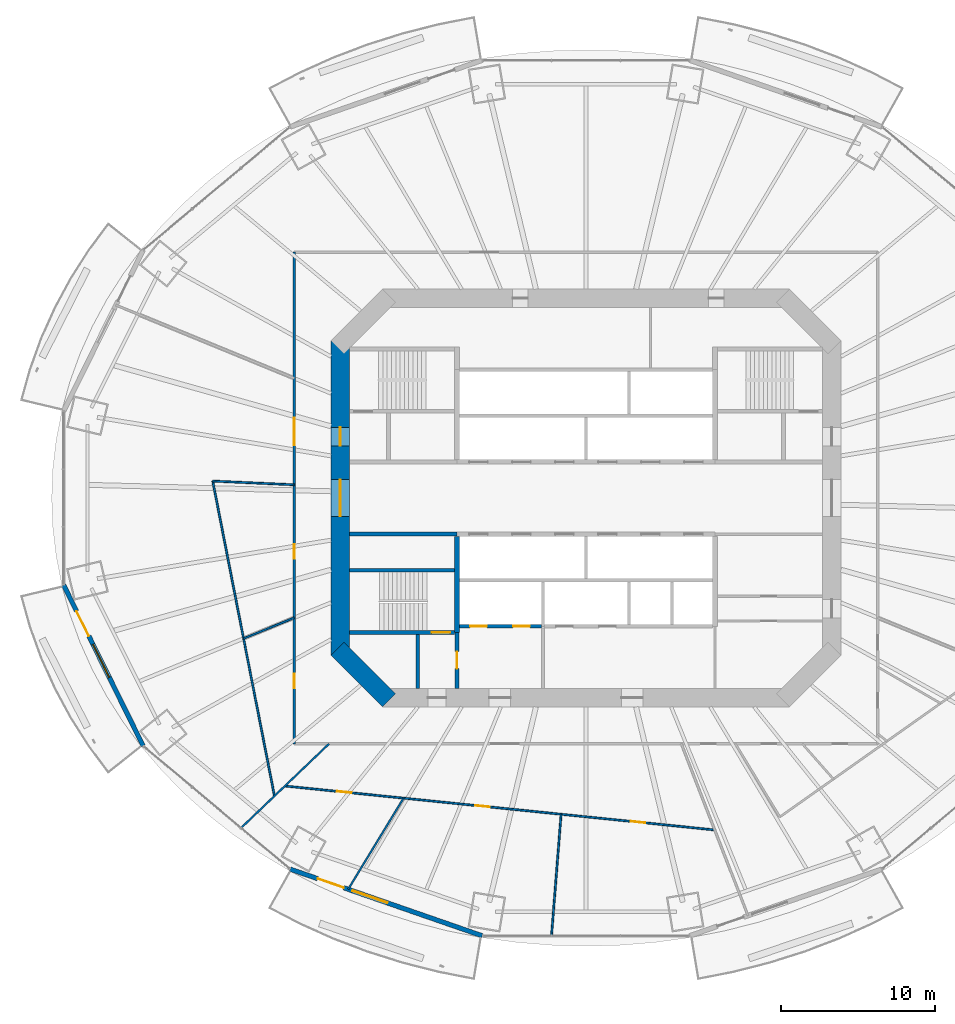
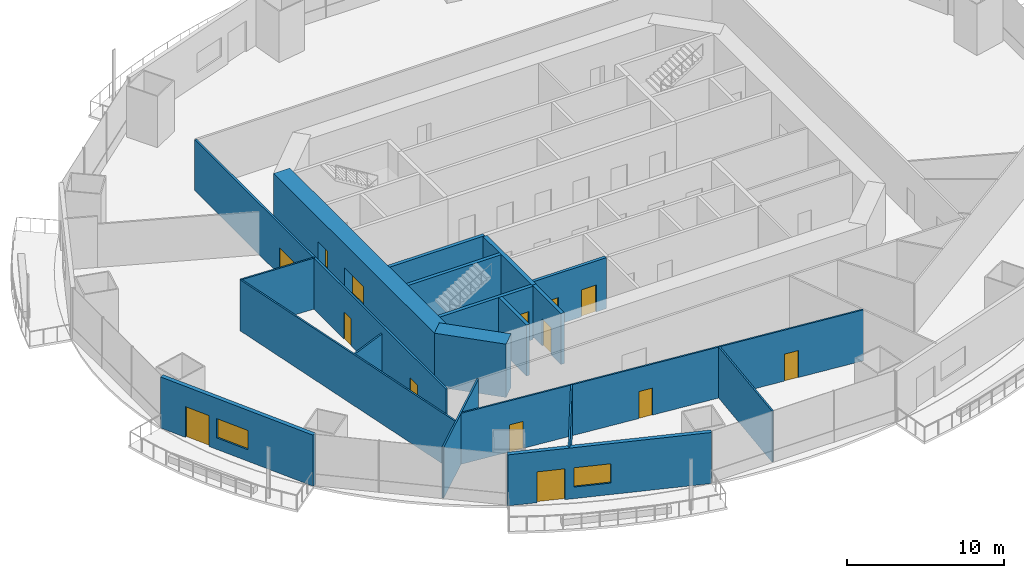
# One storey, part 13 of 22: 19 walls, 14 doors, 2 windows, 16 openings.
"""IFC4 building model written with IfcOpenShell, lengths in metres."""

from ifc_helpers import new_model, si_unit, direction, frame, frame_2d, origin, place, context, subcontext, project, spatial, rectangle, extrude, material, layer, layer_set, type_object, element, fill, save


model = new_model("IFC4")

# Units and contexts
model_context = context("Model", 3, precision=1e-05, world=origin(), true_north=direction((0.0, 1.0)))
body_context = subcontext(model_context, "Body", "Model", "MODEL_VIEW")
ifc_project = project(units=[si_unit("LENGTHUNIT", "METRE"), si_unit("AREAUNIT", "SQUARE_METRE"), si_unit("VOLUMEUNIT", "CUBIC_METRE"), si_unit("PLANEANGLEUNIT", "RADIAN"), si_unit("MASSUNIT", "GRAM", prefix="KILO")], contexts=[model_context])

# Site, building, storey
site_placement = place(None, origin())
site = spatial("IfcSite", under=ifc_project, at=site_placement, CompositionType="ELEMENT")
building_placement = place(site_placement, origin())
building = spatial("IfcBuilding", under=site, at=building_placement, Name="Marenthal Gate Tower", CompositionType="ELEMENT")
storey_placement = place(building_placement, frame((0.0, 0.0, 103.550048828125)))
storey = spatial("IfcBuildingStorey", under=building, at=storey_placement, Name="L21", CompositionType="ELEMENT", Elevation=103.550048828125)

# Wall, openings, doors
ifc_material_1 = material(Name="Concrete 60 MPa", Category="concrete")
ifc_layer_1 = layer(ifc_material_1, 1.199951171875)
ifc_layer_set_1 = layer_set([ifc_layer_1], Name="Core shear wall 1200")
wall_type_1 = type_object("IfcWallType", Name="Core shear wall 1200", PredefinedType="SHEAR", material=ifc_layer_set_1)
wall_1_placement = place(storey_placement, frame((-16.0, 10.24853515625, -0.179931640625), z_axis=(0.0, 0.0, 1.0), x_axis=(0.0, -1.0, 0.0)))
wall_1 = element("IfcWall", 1, at=wall_1_placement, inside=storey, type_object=wall_type_1, Name="Core wall 06", PredefinedType="SHEAR", context=body_context, shape_type="SweptSolid", body=[
    extrude(rectangle(XDim=20.4970703125, YDim=1.199951171875, at=frame_2d((10.24853515625, 0.0))), origin(), (0.0, 0.0, 1.0), 4.14990234375),
])
opening_1_placement = place(wall_1_placement, frame((9.048583984375, 0.0, 0.179931640625)))
opening_1 = element("IfcOpeningElement", 2, at=opening_1_placement, cuts=wall_1, Name="Opening D003.01", PredefinedType="OPENING", context=body_context, shape_type="SweptSolid", body=[
    extrude(rectangle(XDim=2.39990234375, YDim=2.10009765625, at=frame_2d((1.199951171875, 1.050048828125))), frame((0.0, 0.60986328125, 0.0), z_axis=(0.0, -1.0, 0.0), x_axis=(1.0, 0.0, 0.0)), (0.0, 0.0, 1.0), 1.219970703125),
])
opening_2_placement = place(wall_1_placement, frame((5.6484375, 0.0, 0.179931640625)))
opening_2 = element("IfcOpeningElement", 3, at=opening_2_placement, cuts=wall_1, Name="Opening D001.04", PredefinedType="OPENING", context=body_context, shape_type="SweptSolid", body=[
    extrude(rectangle(XDim=1.199951171875, YDim=2.10009765625, at=frame_2d((0.60009765625, 1.050048828125))), frame((0.0, 0.60986328125, 0.0), z_axis=(0.0, -1.0, 0.0), x_axis=(1.0, 0.0, 0.0)), (0.0, 0.0, 1.0), 1.219970703125),
])
ifc_material_2 = material(Name="Steel fire door", Category="steel")
door_type_1 = type_object("IfcDoorType", Name="Double fire door FD 45 2400 x 2100", OperationType="DOUBLE_DOOR_SINGLE_SWING", PredefinedType="DOOR", material=ifc_material_2)
door_1_placement = place(opening_1_placement, origin())
door_1 = element("IfcDoor", 4, at=door_1_placement, inside=storey, type_object=door_type_1, Name="Door D003.01", OperationType="DOUBLE_DOOR_SINGLE_SWING", OverallHeight=2.10009765625, OverallWidth=2.39990234375, PredefinedType="DOOR", context=body_context, shape_type="SweptSolid", body=[
    extrude(rectangle(XDim=2.39990234375, YDim=2.10009765625, at=frame_2d((1.199951171875, 1.050048828125))), frame((0.0, 0.02490234375, 0.0), z_axis=(0.0, -1.0, 0.0), x_axis=(1.0, 0.0, 0.0)), (0.0, 0.0, 1.0), 0.050048828125),
])
fill(opening_1, door_1)
ifc_material_3 = material(Name="Steel fire door", Category="steel")
door_type_2 = type_object("IfcDoorType", Name="Fire door FD 90 1200 x 2100", OperationType="NOTDEFINED", PredefinedType="DOOR", material=ifc_material_3)
door_2_placement = place(opening_2_placement, origin())
door_2 = element("IfcDoor", 5, at=door_2_placement, inside=storey, type_object=door_type_2, Name="Door D001.04", OperationType="SINGLE_SWING_RIGHT", OverallHeight=2.10009765625, OverallWidth=1.199951171875, PredefinedType="DOOR", context=body_context, shape_type="SweptSolid", body=[
    extrude(rectangle(XDim=1.199951171875, YDim=2.10009765625, at=frame_2d((0.60009765625, 1.050048828125))), frame((0.0, 0.02490234375, 0.0), z_axis=(0.0, -1.0, 0.0), x_axis=(1.0, 0.0, 0.0)), (0.0, 0.0, 1.0), 0.050048828125),
])
fill(opening_2, door_2)

# Walls
wall_2_placement = place(storey_placement, frame((-16.17578125, -9.82421875, -0.179931640625), z_axis=(0.0, 0.0, 1.0), x_axis=(0.707106781187, -0.707106781187, 0.0)))
element("IfcWall", 6, at=wall_2_placement, inside=storey, type_object=wall_type_1, Name="Core wall 07", PredefinedType="SHEAR", context=body_context, shape_type="SweptSolid", body=[
    extrude(rectangle(XDim=4.73974609375, YDim=1.199951171875, at=frame_2d((2.369873046875, 0.0))), origin(), (0.0, 0.0, 1.0), 4.14990234375),
])
ifc_material_4 = material(Name="Concrete 50 MPa", Category="concrete")
ifc_layer_2 = layer(ifc_material_4, 0.300048828125)
ifc_layer_set_2 = layer_set([ifc_layer_2], Name="Hoistway shear wall 300")
wall_type_2 = type_object("IfcWallType", Name="Hoistway shear wall 300", PredefinedType="SHEAR", material=ifc_layer_set_2)
wall_3_placement = place(storey_placement, frame((-8.39990234375, -8.75, -0.179931640625), z_axis=(0.0, 0.0, 1.0), x_axis=(0.0, 1.0, 0.0)))
element("IfcWall", 7, at=wall_3_placement, inside=storey, type_object=wall_type_2, Name="Hoistway wall 31", PredefinedType="SHEAR", context=body_context, shape_type="SweptSolid", body=[
    extrude(rectangle(XDim=6.25, YDim=0.300048828125, at=frame_2d((3.125, 0.0))), origin(), (0.0, 0.0, 1.0), 4.14990234375),
])

# Wall, openings, doors
ifc_material_5 = material(Name="Concrete 40 MPa", Category="concrete")
ifc_layer_3 = layer(ifc_material_5, 0.219970703125)
ifc_layer_set_3 = layer_set([ifc_layer_3], Name="Hoistway wall 220")
wall_type_3 = type_object("IfcWallType", Name="Hoistway wall 220", PredefinedType="STANDARD", material=ifc_layer_set_3)
wall_4_placement = place(storey_placement, frame((-8.25, -8.35009765625, 0.0), z_axis=(0.0, 0.0, 1.0), x_axis=(1.0, 0.0, 0.0)))
wall_4 = element("IfcWall", 8, at=wall_4_placement, inside=storey, type_object=wall_type_3, Name="Hoistway wall 10", PredefinedType="STANDARD", context=body_context, shape_type="SweptSolid", body=[
    extrude(rectangle(XDim=5.340087890625, YDim=0.219970703125, at=frame_2d((2.669921875, 0.0))), origin(), (0.0, 0.0, 1.0), 3.969970703125),
])
opening_3_placement = place(wall_4_placement, frame((0.699951171875, 0.0, 0.0)))
opening_3 = element("IfcOpeningElement", 9, at=opening_3_placement, cuts=wall_4, Name="Opening LD-LF1", PredefinedType="OPENING", context=body_context, shape_type="SweptSolid", body=[
    extrude(rectangle(XDim=1.10009765625, YDim=2.10009765625, at=frame_2d((0.550048828125, 1.050048828125))), frame((0.0, 0.1201171875, 0.0), z_axis=(0.0, -1.0, 0.0), x_axis=(1.0, 0.0, 0.0)), (0.0, 0.0, 1.0), 0.239990234375),
])
opening_4_placement = place(wall_4_placement, frame((3.5, 0.0, 0.0)))
opening_4 = element("IfcOpeningElement", 10, at=opening_4_placement, cuts=wall_4, Name="Opening LD-LF2", PredefinedType="OPENING", context=body_context, shape_type="SweptSolid", body=[
    extrude(rectangle(XDim=1.10009765625, YDim=2.10009765625, at=frame_2d((0.550048828125, 1.050048828125))), frame((0.0, 0.1201171875, 0.0), z_axis=(0.0, -1.0, 0.0), x_axis=(1.0, 0.0, 0.0)), (0.0, 0.0, 1.0), 0.239990234375),
])
ifc_material_6 = material(Name="Stainless steel sliding door", Category="steel")
door_type_3 = type_object("IfcDoorType", Name="Lift landing door FD 90 1100 x 2100", OperationType="DOUBLE_DOOR_SLIDING", PredefinedType="DOOR", material=ifc_material_6)
door_3_placement = place(opening_3_placement, origin())
door_3 = element("IfcDoor", 11, at=door_3_placement, inside=storey, type_object=door_type_3, Name="Lift landing door LF1", OperationType="DOUBLE_DOOR_SLIDING", OverallHeight=2.10009765625, OverallWidth=1.10009765625, PredefinedType="DOOR", context=body_context, shape_type="SweptSolid", body=[
    extrude(rectangle(XDim=1.10009765625, YDim=2.10009765625, at=frame_2d((0.550048828125, 1.050048828125))), frame((0.0, 0.02490234375, 0.0), z_axis=(0.0, -1.0, 0.0), x_axis=(1.0, 0.0, 0.0)), (0.0, 0.0, 1.0), 0.050048828125),
])
fill(opening_3, door_3)
door_4_placement = place(opening_4_placement, origin())
door_4 = element("IfcDoor", 12, at=door_4_placement, inside=storey, type_object=door_type_3, Name="Lift landing door LF2", OperationType="DOUBLE_DOOR_SLIDING", OverallHeight=2.10009765625, OverallWidth=1.10009765625, PredefinedType="DOOR", context=body_context, shape_type="SweptSolid", body=[
    extrude(rectangle(XDim=1.10009765625, YDim=2.10009765625, at=frame_2d((0.550048828125, 1.050048828125))), frame((0.0, 0.02490234375, 0.0), z_axis=(0.0, -1.0, 0.0), x_axis=(1.0, 0.0, 0.0)), (0.0, 0.0, 1.0), 0.050048828125),
])
fill(opening_4, door_4)

# Walls
ifc_material_7 = material(Name="Gypsum board on steel studs", Category="steel")
ifc_layer_4 = layer(ifc_material_7, 0.1201171875)
ifc_layer_set_4 = layer_set([ifc_layer_4], Name="Partition 120")
wall_type_4 = type_object("IfcWallType", Name="Partition 120", PredefinedType="PARTITIONING", material=ifc_layer_set_4)
wall_5_placement = place(storey_placement, frame((-24.29931640625, 1.1015625, 0.0), z_axis=(0.0, 0.0, 1.0), x_axis=(0.192428584769, -0.98131098015, 0.0)))
element("IfcWall", 13, at=wall_5_placement, inside=storey, type_object=wall_type_4, Name="Partition wall 47", PredefinedType="PARTITIONING", context=body_context, shape_type="SweptSolid", body=[
    extrude(rectangle(XDim=20.888427734375, YDim=0.1201171875, at=frame_2d((10.4443359375, 0.0))), origin(), (0.0, 0.0, 1.0), 3.969970703125),
])
wall_6_placement = place(storey_placement, frame((-24.29931640625, 1.1015625, 0.0), z_axis=(0.0, 0.0, 1.0), x_axis=(0.998974036647, -0.045286577539, 0.0)))
element("IfcWall", 14, at=wall_6_placement, inside=storey, type_object=wall_type_4, Name="Partition wall 48", PredefinedType="PARTITIONING", context=body_context, shape_type="SweptSolid", body=[
    extrude(rectangle(XDim=5.3046875, YDim=0.1201171875, at=frame_2d((2.65234375, 0.0))), origin(), (0.0, 0.0, 1.0), 3.969970703125),
])
wall_7_placement = place(storey_placement, frame((-22.28955078125, -9.1474609375, 0.0), z_axis=(0.0, 0.0, 1.0), x_axis=(0.92513955931, 0.379627180008, 0.0)))
element("IfcWall", 15, at=wall_7_placement, inside=storey, type_object=wall_type_4, Name="Partition wall 49", PredefinedType="PARTITIONING", context=body_context, shape_type="SweptSolid", body=[
    extrude(rectangle(XDim=3.5556640625, YDim=0.1201171875, at=frame_2d((1.77783203125, 0.0))), origin(), (0.0, 0.0, 1.0), 3.35791015625),
])

# Wall, openings, doors
wall_8_placement = place(storey_placement, frame((-19.6005859375, -18.746826171875, 0.0), z_axis=(0.0, 0.0, 1.0), x_axis=(0.994814570483, -0.101705311343, 0.0)))
wall_8 = element("IfcWall", 16, at=wall_8_placement, inside=storey, type_object=wall_type_4, Name="Partition wall 50", PredefinedType="PARTITIONING", context=body_context, shape_type="SweptSolid", body=[
    extrude(rectangle(XDim=28.126220703125, YDim=0.1201171875, at=frame_2d((14.06298828125, 0.0))), origin(), (0.0, 0.0, 1.0), 3.969970703125),
])
opening_5_placement = place(wall_8_placement, frame((3.406982421875, 0.0, 0.0)))
opening_5 = element("IfcOpeningElement", 17, at=opening_5_placement, cuts=wall_8, Name="Opening D016.03", PredefinedType="OPENING", context=body_context, shape_type="SweptSolid", body=[
    extrude(rectangle(XDim=0.949951171875, YDim=2.10009765625, at=frame_2d((0.47509765625, 1.050048828125))), frame((0.0, 0.070068359375, 0.0), z_axis=(0.0, -1.0, 0.0), x_axis=(1.0, 0.0, 0.0)), (0.0, 0.0, 1.0), 0.14013671875),
])
opening_6_placement = place(wall_8_placement, frame((12.444091796875, 0.0, 0.0)))
opening_6 = element("IfcOpeningElement", 18, at=opening_6_placement, cuts=wall_8, Name="Opening D016.04", PredefinedType="OPENING", context=body_context, shape_type="SweptSolid", body=[
    extrude(rectangle(XDim=0.949951171875, YDim=2.10009765625, at=frame_2d((0.47509765625, 1.050048828125))), frame((0.0, 0.070068359375, 0.0), z_axis=(0.0, -1.0, 0.0), x_axis=(1.0, 0.0, 0.0)), (0.0, 0.0, 1.0), 0.14013671875),
])
opening_7_placement = place(wall_8_placement, frame((22.625, 0.0, 0.0)))
opening_7 = element("IfcOpeningElement", 19, at=opening_7_placement, cuts=wall_8, Name="Opening D016.05", PredefinedType="OPENING", context=body_context, shape_type="SweptSolid", body=[
    extrude(rectangle(XDim=0.949951171875, YDim=2.10009765625, at=frame_2d((0.47509765625, 1.050048828125))), frame((0.0, 0.070068359375, 0.0), z_axis=(0.0, -1.0, 0.0), x_axis=(1.0, 0.0, 0.0)), (0.0, 0.0, 1.0), 0.14013671875),
])
ifc_material_8 = material(Name="Timber door", Category="wood")
door_type_4 = type_object("IfcDoorType", Name="Door 950 x 2100", OperationType="NOTDEFINED", PredefinedType="DOOR", material=ifc_material_8)
door_5_placement = place(opening_5_placement, frame((0.949951171875, 0.0, 0.0), z_axis=(0.0, 0.0, 1.0), x_axis=(-1.0, 0.0, 0.0)))
door_5 = element("IfcDoor", 20, at=door_5_placement, inside=storey, type_object=door_type_4, Name="Door D016.03", OperationType="SINGLE_SWING_LEFT", OverallHeight=2.10009765625, OverallWidth=0.949951171875, PredefinedType="DOOR", context=body_context, shape_type="SweptSolid", body=[
    extrude(rectangle(XDim=0.949951171875, YDim=2.10009765625, at=frame_2d((0.47509765625, 1.050048828125))), frame((0.0, 0.02490234375, 0.0), z_axis=(0.0, -1.0, 0.0), x_axis=(1.0, 0.0, 0.0)), (0.0, 0.0, 1.0), 0.050048828125),
])
fill(opening_5, door_5)
door_6_placement = place(opening_6_placement, frame((0.949951171875, 0.0, 0.0), z_axis=(0.0, 0.0, 1.0), x_axis=(-1.0, 0.0, 0.0)))
door_6 = element("IfcDoor", 21, at=door_6_placement, inside=storey, type_object=door_type_4, Name="Door D016.04", OperationType="SINGLE_SWING_LEFT", OverallHeight=2.10009765625, OverallWidth=0.949951171875, PredefinedType="DOOR", context=body_context, shape_type="SweptSolid", body=[
    extrude(rectangle(XDim=0.949951171875, YDim=2.10009765625, at=frame_2d((0.47509765625, 1.050048828125))), frame((0.0, 0.02490234375, 0.0), z_axis=(0.0, -1.0, 0.0), x_axis=(1.0, 0.0, 0.0)), (0.0, 0.0, 1.0), 0.050048828125),
])
fill(opening_6, door_6)
door_7_placement = place(opening_7_placement, frame((0.949951171875, 0.0, 0.0), z_axis=(0.0, 0.0, 1.0), x_axis=(-1.0, 0.0, 0.0)))
door_7 = element("IfcDoor", 22, at=door_7_placement, inside=storey, type_object=door_type_4, Name="Door D016.05", OperationType="SINGLE_SWING_LEFT", OverallHeight=2.10009765625, OverallWidth=0.949951171875, PredefinedType="DOOR", context=body_context, shape_type="SweptSolid", body=[
    extrude(rectangle(XDim=0.949951171875, YDim=2.10009765625, at=frame_2d((0.47509765625, 1.050048828125))), frame((0.0, 0.02490234375, 0.0), z_axis=(0.0, -1.0, 0.0), x_axis=(1.0, 0.0, 0.0)), (0.0, 0.0, 1.0), 0.050048828125),
])
fill(opening_7, door_7)

# Walls
wall_9_placement = place(storey_placement, frame((-16.728515625, -16.0, 0.0), z_axis=(0.0, 0.0, 1.0), x_axis=(-0.722671289977, -0.69119187397, 0.0)))
element("IfcWall", 23, at=wall_9_placement, inside=storey, type_object=wall_type_4, Name="Partition wall 54", PredefinedType="PARTITIONING", context=body_context, shape_type="SweptSolid", body=[
    extrude(rectangle(XDim=7.92626953125, YDim=0.1201171875, at=frame_2d((3.963134765625, 0.0))), origin(), (0.0, 0.0, 1.0), 3.969970703125),
])
wall_10_placement = place(storey_placement, frame((-15.481689453125, -25.468505859375, 0.0), z_axis=(0.0, 0.0, 1.0), x_axis=(0.519421340377, 0.854518268477, 0.0)))
element("IfcWall", 24, at=wall_10_placement, inside=storey, type_object=wall_type_4, Name="Partition wall 55", PredefinedType="PARTITIONING", context=body_context, shape_type="SweptSolid", body=[
    extrude(rectangle(XDim=6.94189453125, YDim=0.1201171875, at=frame_2d((3.470947265625, 0.0))), origin(), (0.0, 0.0, 1.0), 3.969970703125),
])
wall_11_placement = place(storey_placement, frame((-2.244384765625, -28.494873046875, 0.0), z_axis=(0.0, 0.0, 1.0), x_axis=(0.07852464167, 0.996912172987, 0.0)))
element("IfcWall", 25, at=wall_11_placement, inside=storey, type_object=wall_type_4, Name="Partition wall 56", PredefinedType="PARTITIONING", context=body_context, shape_type="SweptSolid", body=[
    extrude(rectangle(XDim=7.934326171875, YDim=0.1201171875, at=frame_2d((3.96728515625, 0.0))), origin(), (0.0, 0.0, 1.0), 3.969970703125),
])

# Wall, openings, doors
ifc_material_9 = material(Name="Gypsum board on steel studs", Category="steel")
ifc_layer_5 = layer(ifc_material_9, 0.14990234375)
ifc_layer_set_5 = layer_set([ifc_layer_5], Name="Partition 150")
wall_type_5 = type_object("IfcWallType", Name="Partition 150", PredefinedType="PARTITIONING", material=ifc_layer_set_5)
wall_12_placement = place(storey_placement, frame((-19.0, -16.0, 0.0), z_axis=(0.0, 0.0, 1.0), x_axis=(0.0, 1.0, 0.0)))
wall_12 = element("IfcWall", 26, at=wall_12_placement, inside=storey, type_object=wall_type_5, Name="Partition wall 51", PredefinedType="PARTITIONING", context=body_context, shape_type="SweptSolid", body=[
    extrude(rectangle(XDim=32.0, YDim=0.14990234375, at=frame_2d((16.0, 0.0))), origin(), (0.0, 0.0, 1.0), 3.969970703125),
])
opening_8_placement = place(wall_12_placement, frame((12.056884765625, 0.0, 0.0)))
opening_8 = element("IfcOpeningElement", 27, at=opening_8_placement, cuts=wall_12, Name="Opening D016.01", PredefinedType="OPENING", context=body_context, shape_type="SweptSolid", body=[
    extrude(rectangle(XDim=0.949951171875, YDim=2.10009765625, at=frame_2d((0.47509765625, 1.050048828125))), frame((0.0, 0.0849609375, 0.0), z_axis=(0.0, -1.0, 0.0), x_axis=(1.0, 0.0, 0.0)), (0.0, 0.0, 1.0), 0.169921875),
])
opening_9_placement = place(wall_12_placement, frame((3.6259765625, 0.0, 0.0)))
opening_9 = element("IfcOpeningElement", 28, at=opening_9_placement, cuts=wall_12, Name="Opening D016.02", PredefinedType="OPENING", context=body_context, shape_type="SweptSolid", body=[
    extrude(rectangle(XDim=0.949951171875, YDim=2.10009765625, at=frame_2d((0.47509765625, 1.050048828125))), frame((0.0, 0.0849609375, 0.0), z_axis=(0.0, -1.0, 0.0), x_axis=(1.0, 0.0, 0.0)), (0.0, 0.0, 1.0), 0.169921875),
])
opening_10_placement = place(wall_12_placement, frame((19.427978515625, 0.0, 0.0)))
opening_10 = element("IfcOpeningElement", 29, at=opening_10_placement, cuts=wall_12, Name="Opening D014.02", PredefinedType="OPENING", context=body_context, shape_type="SweptSolid", body=[
    extrude(rectangle(XDim=1.800048828125, YDim=2.10009765625, at=frame_2d((0.89990234375, 1.050048828125))), frame((0.0, 0.0849609375, 0.0), z_axis=(0.0, -1.0, 0.0), x_axis=(1.0, 0.0, 0.0)), (0.0, 0.0, 1.0), 0.169921875),
])
door_8_placement = place(opening_8_placement, origin())
door_8 = element("IfcDoor", 30, at=door_8_placement, inside=storey, type_object=door_type_4, Name="Door D016.01", OperationType="SINGLE_SWING_RIGHT", OverallHeight=2.10009765625, OverallWidth=0.949951171875, PredefinedType="DOOR", context=body_context, shape_type="SweptSolid", body=[
    extrude(rectangle(XDim=0.949951171875, YDim=2.10009765625, at=frame_2d((0.47509765625, 1.050048828125))), frame((0.0, 0.02490234375, 0.0), z_axis=(0.0, -1.0, 0.0), x_axis=(1.0, 0.0, 0.0)), (0.0, 0.0, 1.0), 0.050048828125),
])
fill(opening_8, door_8)
door_9_placement = place(opening_9_placement, origin())
door_9 = element("IfcDoor", 31, at=door_9_placement, inside=storey, type_object=door_type_4, Name="Door D016.02", OperationType="SINGLE_SWING_RIGHT", OverallHeight=2.10009765625, OverallWidth=0.949951171875, PredefinedType="DOOR", context=body_context, shape_type="SweptSolid", body=[
    extrude(rectangle(XDim=0.949951171875, YDim=2.10009765625, at=frame_2d((0.47509765625, 1.050048828125))), frame((0.0, 0.02490234375, 0.0), z_axis=(0.0, -1.0, 0.0), x_axis=(1.0, 0.0, 0.0)), (0.0, 0.0, 1.0), 0.050048828125),
])
fill(opening_9, door_9)
ifc_material_10 = material(Name="Timber door", Category="wood")
door_type_5 = type_object("IfcDoorType", Name="Double door 1800 x 2100", OperationType="DOUBLE_DOOR_SINGLE_SWING", PredefinedType="DOOR", material=ifc_material_10)
door_10_placement = place(opening_10_placement, origin())
door_10 = element("IfcDoor", 32, at=door_10_placement, inside=storey, type_object=door_type_5, Name="Door D014.02", OperationType="DOUBLE_DOOR_SINGLE_SWING", OverallHeight=2.10009765625, OverallWidth=1.800048828125, PredefinedType="DOOR", context=body_context, shape_type="SweptSolid", body=[
    extrude(rectangle(XDim=1.800048828125, YDim=2.10009765625, at=frame_2d((0.89990234375, 1.050048828125))), frame((0.0, 0.02490234375, 0.0), z_axis=(0.0, -1.0, 0.0), x_axis=(1.0, 0.0, 0.0)), (0.0, 0.0, 1.0), 0.050048828125),
])
fill(opening_10, door_10)

# Walls
ifc_material_11 = material(Name="Concrete 40 MPa", Category="concrete")
ifc_layer_6 = layer(ifc_material_11, 0.25)
ifc_layer_set_6 = layer_set([ifc_layer_6], Name="Stair enclosure wall 250")
wall_type_6 = type_object("IfcWallType", Name="Stair enclosure wall 250", PredefinedType="STANDARD", material=ifc_layer_set_6)
wall_13_placement = place(storey_placement, frame((-15.39990234375, -2.35009765625, 0.0), z_axis=(0.0, 0.0, 1.0), x_axis=(1.0, 0.0, 0.0)))
element("IfcWall", 33, at=wall_13_placement, inside=storey, type_object=wall_type_6, Name="Stair wall 16", PredefinedType="STANDARD", context=body_context, shape_type="SweptSolid", body=[
    extrude(rectangle(XDim=7.0, YDim=0.25, at=frame_2d((3.5, 0.0))), origin(), (0.0, 0.0, 1.0), 3.969970703125),
])
wall_14_placement = place(storey_placement, frame((-10.949951171875, -12.39990234375, 0.0), z_axis=(0.0, 0.0, 1.0), x_axis=(0.0, 1.0, 0.0)))
element("IfcWall", 34, at=wall_14_placement, inside=storey, type_object=wall_type_6, Name="Stair wall 29", PredefinedType="STANDARD", context=body_context, shape_type="SweptSolid", body=[
    extrude(rectangle(XDim=3.52490234375, YDim=0.25, at=frame_2d((1.762451171875, 0.0))), origin(), (0.0, 0.0, 1.0), 3.969970703125),
])

# Wall, opening, door
wall_15_placement = place(storey_placement, frame((-8.39990234375, -12.39990234375, 0.0), z_axis=(0.0, 0.0, 1.0), x_axis=(0.0, 1.0, 0.0)))
wall_15 = element("IfcWall", 35, at=wall_15_placement, inside=storey, type_object=wall_type_6, Name="Stair wall 30", PredefinedType="STANDARD", context=body_context, shape_type="SweptSolid", body=[
    extrude(rectangle(XDim=3.64990234375, YDim=0.25, at=frame_2d((1.824951171875, 0.0))), origin(), (0.0, 0.0, 1.0), 3.969970703125),
])
opening_11_placement = place(wall_15_placement, frame((1.300048828125, 0.0, 0.0)))
opening_11 = element("IfcOpeningElement", 36, at=opening_11_placement, cuts=wall_15, Name="Opening D002.01", PredefinedType="OPENING", context=body_context, shape_type="SweptSolid", body=[
    extrude(rectangle(XDim=1.10009765625, YDim=2.10009765625, at=frame_2d((0.550048828125, 1.050048828125))), frame((0.0, 0.135009765625, 0.0), z_axis=(0.0, -1.0, 0.0), x_axis=(1.0, 0.0, 0.0)), (0.0, 0.0, 1.0), 0.27001953125),
])
ifc_material_12 = material(Name="Steel fire door", Category="steel")
door_type_6 = type_object("IfcDoorType", Name="Fire door FD 90 1100 x 2100", OperationType="NOTDEFINED", PredefinedType="DOOR", material=ifc_material_12)
door_11_placement = place(opening_11_placement, origin())
door_11 = element("IfcDoor", 37, at=door_11_placement, inside=storey, type_object=door_type_6, Name="Door D002.01", OperationType="SINGLE_SWING_RIGHT", OverallHeight=2.10009765625, OverallWidth=1.10009765625, PredefinedType="DOOR", context=body_context, shape_type="SweptSolid", body=[
    extrude(rectangle(XDim=1.10009765625, YDim=2.10009765625, at=frame_2d((0.550048828125, 1.050048828125))), frame((0.0, 0.02490234375, 0.0), z_axis=(0.0, -1.0, 0.0), x_axis=(1.0, 0.0, 0.0)), (0.0, 0.0, 1.0), 0.050048828125),
])
fill(opening_11, door_11)

ifc_material_13 = material(Name="Concrete 50 MPa", Category="concrete")
ifc_layer_7 = layer(ifc_material_13, 0.25)
ifc_layer_set_7 = layer_set([ifc_layer_7], Name="Stair shear wall 250")
wall_type_7 = type_object("IfcWallType", Name="Stair shear wall 250", PredefinedType="SHEAR", material=ifc_layer_set_7)
wall_16_placement = place(storey_placement, frame((-15.39990234375, -8.75, -0.179931640625), z_axis=(0.0, 0.0, 1.0), x_axis=(1.0, 0.0, 0.0)))
wall_16 = element("IfcWall", 38, at=wall_16_placement, inside=storey, type_object=wall_type_7, Name="Stair wall 09", PredefinedType="SHEAR", context=body_context, shape_type="SweptSolid", body=[
    extrude(rectangle(XDim=6.849853515625, YDim=0.25, at=frame_2d((3.4248046875, 0.0))), origin(), (0.0, 0.0, 1.0), 4.14990234375),
])
opening_12_placement = place(wall_16_placement, frame((5.35009765625, 0.0, 0.179931640625)))
opening_12 = element("IfcOpeningElement", 39, at=opening_12_placement, cuts=wall_16, Name="Opening D001.03", PredefinedType="OPENING", context=body_context, shape_type="SweptSolid", body=[
    extrude(rectangle(XDim=1.199951171875, YDim=2.10009765625, at=frame_2d((0.60009765625, 1.050048828125))), frame((0.0, 0.135009765625, 0.0), z_axis=(0.0, -1.0, 0.0), x_axis=(1.0, 0.0, 0.0)), (0.0, 0.0, 1.0), 0.27001953125),
])
door_12_placement = place(opening_12_placement, origin())
door_12 = element("IfcDoor", 40, at=door_12_placement, inside=storey, type_object=door_type_2, Name="Door D001.03", OperationType="SINGLE_SWING_RIGHT", OverallHeight=2.10009765625, OverallWidth=1.199951171875, PredefinedType="DOOR", context=body_context, shape_type="SweptSolid", body=[
    extrude(rectangle(XDim=1.199951171875, YDim=2.10009765625, at=frame_2d((0.60009765625, 1.050048828125))), frame((0.0, 0.02490234375, 0.0), z_axis=(0.0, -1.0, 0.0), x_axis=(1.0, 0.0, 0.0)), (0.0, 0.0, 1.0), 0.050048828125),
])
fill(opening_12, door_12)

# Wall
wall_17_placement = place(storey_placement, frame((-15.39990234375, -4.699951171875, -0.179931640625), z_axis=(0.0, 0.0, 1.0), x_axis=(1.0, 0.0, 0.0)))
element("IfcWall", 41, at=wall_17_placement, inside=storey, type_object=wall_type_7, Name="Stair wall 15", PredefinedType="SHEAR", context=body_context, shape_type="SweptSolid", body=[
    extrude(rectangle(XDim=6.849853515625, YDim=0.25, at=frame_2d((3.4248046875, 0.0))), origin(), (0.0, 0.0, 1.0), 4.14990234375),
])

# Wall, openings, door, window
ifc_material_14 = material(Name="Terracotta cladding on insulated concrete-block backing", Category="masonry")
ifc_layer_8 = layer(ifc_material_14, 0.300048828125)
ifc_layer_set_8 = layer_set([ifc_layer_8], Name="Terracotta facade wall 300")
wall_type_8 = type_object("IfcWallType", Name="Terracotta facade wall 300", PredefinedType="SOLIDWALL", material=ifc_layer_set_8)
wall_18_placement = place(storey_placement, frame((-34.001953125, -5.66796875, 0.0), z_axis=(0.0, 0.0, 1.0), x_axis=(0.4430961796, -0.896474079728, 0.0)))
wall_18 = element("IfcWall", 42, at=wall_18_placement, inside=storey, type_object=wall_type_8, Name="Terracotta facade wall L21 bay 9", PredefinedType="SOLIDWALL", context=body_context, shape_type="SweptSolid", body=[
    extrude(rectangle(XDim=11.6826171875, YDim=0.300048828125, at=frame_2d((5.84130859375, 0.0))), origin(), (0.0, 0.0, 1.0), 3.969970703125),
])
opening_13_placement = place(wall_18_placement, frame((1.89990234375, 0.0, 0.0)))
opening_13 = element("IfcOpeningElement", 43, at=opening_13_placement, cuts=wall_18, Name="Opening BD-L21-09", PredefinedType="OPENING", context=body_context, shape_type="SweptSolid", body=[
    extrude(rectangle(XDim=1.800048828125, YDim=2.39990234375, at=frame_2d((0.89990234375, 1.199951171875))), frame((0.0, 0.16015625, 0.0), z_axis=(0.0, -1.0, 0.0), x_axis=(1.0, 0.0, 0.0)), (0.0, 0.0, 1.0), 0.320068359375),
])
opening_14_placement = place(wall_18_placement, frame((4.300048828125, 0.0, 0.89990234375)))
opening_14 = element("IfcOpeningElement", 44, at=opening_14_placement, cuts=wall_18, Name="Opening WN1-L21-09", PredefinedType="OPENING", context=body_context, shape_type="SweptSolid", body=[
    extrude(rectangle(XDim=2.39990234375, YDim=1.5, at=frame_2d((1.199951171875, 0.75))), frame((0.0, 0.16015625, 0.0), z_axis=(0.0, -1.0, 0.0), x_axis=(1.0, 0.0, 0.0)), (0.0, 0.0, 1.0), 0.320068359375),
])
ifc_material_15 = material(Name="Aluminium and glass", Category="aluminium")
door_type_7 = type_object("IfcDoorType", Name="Balcony door 1800x2400", OperationType="DOUBLE_DOOR_SINGLE_SWING", PredefinedType="DOOR", material=ifc_material_15)
door_13_placement = place(opening_13_placement, origin())
door_13 = element("IfcDoor", 45, at=door_13_placement, inside=storey, type_object=door_type_7, Name="Balcony door L21 bay 9", OperationType="SINGLE_SWING_LEFT", OverallHeight=2.39990234375, OverallWidth=1.800048828125, PredefinedType="DOOR", context=body_context, shape_type="SweptSolid", body=[
    extrude(rectangle(XDim=1.800048828125, YDim=2.39990234375, at=frame_2d((0.89990234375, 1.199951171875))), frame((0.0, 0.02490234375, 0.0), z_axis=(0.0, -1.0, 0.0), x_axis=(1.0, 0.0, 0.0)), (0.0, 0.0, 1.0), 0.050048828125),
])
fill(opening_13, door_13)
ifc_material_16 = material(Name="Aluminium and glass", Category="aluminium")
window_type = type_object("IfcWindowType", Name="Window 2400x1500", PartitioningType="TRIPLE_PANEL_VERTICAL", PredefinedType="WINDOW", material=ifc_material_16)
window_1_placement = place(opening_14_placement, origin())
window_1 = element("IfcWindow", 46, at=window_1_placement, inside=storey, type_object=window_type, Name="Window L21 bay 9", OverallHeight=1.5, OverallWidth=2.39990234375, PartitioningType="SINGLE_PANEL", PredefinedType="WINDOW", context=body_context, shape_type="SweptSolid", body=[
    extrude(rectangle(XDim=2.39990234375, YDim=1.5, at=frame_2d((1.199951171875, 0.75))), frame((0.0, 0.030029296875, 0.0), z_axis=(0.0, -1.0, 0.0), x_axis=(1.0, 0.0, 0.0)), (0.0, 0.0, 1.0), 0.06005859375),
])
fill(opening_14, window_1)

wall_19_placement = place(storey_placement, frame((-19.260498046875, -24.15673828125, 0.0), z_axis=(0.0, 0.0, 1.0), x_axis=(0.944700030718, -0.327935743647, 0.0)))
wall_19 = element("IfcWall", 47, at=wall_19_placement, inside=storey, type_object=wall_type_8, Name="Terracotta facade wall L21 bay 11", PredefinedType="SOLIDWALL", context=body_context, shape_type="SweptSolid", body=[
    extrude(rectangle(XDim=13.228515625, YDim=0.300048828125, at=frame_2d((6.6142578125, 0.0))), origin(), (0.0, 0.0, 1.0), 3.969970703125),
])
opening_15_placement = place(wall_19_placement, frame((1.89990234375, 0.0, 0.0)))
opening_15 = element("IfcOpeningElement", 48, at=opening_15_placement, cuts=wall_19, Name="Opening BD-L21-11", PredefinedType="OPENING", context=body_context, shape_type="SweptSolid", body=[
    extrude(rectangle(XDim=1.800048828125, YDim=2.39990234375, at=frame_2d((0.89990234375, 1.199951171875))), frame((0.0, 0.16015625, 0.0), z_axis=(0.0, -1.0, 0.0), x_axis=(1.0, 0.0, 0.0)), (0.0, 0.0, 1.0), 0.320068359375),
])
opening_16_placement = place(wall_19_placement, frame((4.300048828125, 0.0, 0.89990234375)))
opening_16 = element("IfcOpeningElement", 49, at=opening_16_placement, cuts=wall_19, Name="Opening WN1-L21-11", PredefinedType="OPENING", context=body_context, shape_type="SweptSolid", body=[
    extrude(rectangle(XDim=2.39990234375, YDim=1.5, at=frame_2d((1.199951171875, 0.75))), frame((0.0, 0.16015625, 0.0), z_axis=(0.0, -1.0, 0.0), x_axis=(1.0, 0.0, 0.0)), (0.0, 0.0, 1.0), 0.320068359375),
])
door_14_placement = place(opening_15_placement, origin())
door_14 = element("IfcDoor", 50, at=door_14_placement, inside=storey, type_object=door_type_7, Name="Balcony door L21 bay 11", OperationType="SINGLE_SWING_LEFT", OverallHeight=2.39990234375, OverallWidth=1.800048828125, PredefinedType="DOOR", context=body_context, shape_type="SweptSolid", body=[
    extrude(rectangle(XDim=1.800048828125, YDim=2.39990234375, at=frame_2d((0.89990234375, 1.199951171875))), frame((0.0, 0.02490234375, 0.0), z_axis=(0.0, -1.0, 0.0), x_axis=(1.0, 0.0, 0.0)), (0.0, 0.0, 1.0), 0.050048828125),
])
fill(opening_15, door_14)
window_2_placement = place(opening_16_placement, origin())
window_2 = element("IfcWindow", 51, at=window_2_placement, inside=storey, type_object=window_type, Name="Window L21 bay 11", OverallHeight=1.5, OverallWidth=2.39990234375, PartitioningType="SINGLE_PANEL", PredefinedType="WINDOW", context=body_context, shape_type="SweptSolid", body=[
    extrude(rectangle(XDim=2.39990234375, YDim=1.5, at=frame_2d((1.199951171875, 0.75))), frame((0.0, 0.030029296875, 0.0), z_axis=(0.0, -1.0, 0.0), x_axis=(1.0, 0.0, 0.0)), (0.0, 0.0, 1.0), 0.06005859375),
])
fill(opening_16, window_2)

save(model, "model.ifc")
